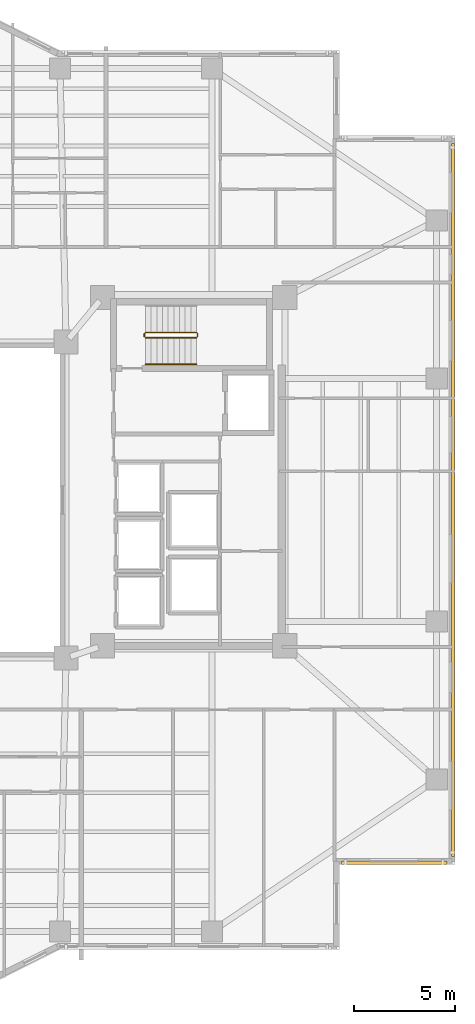
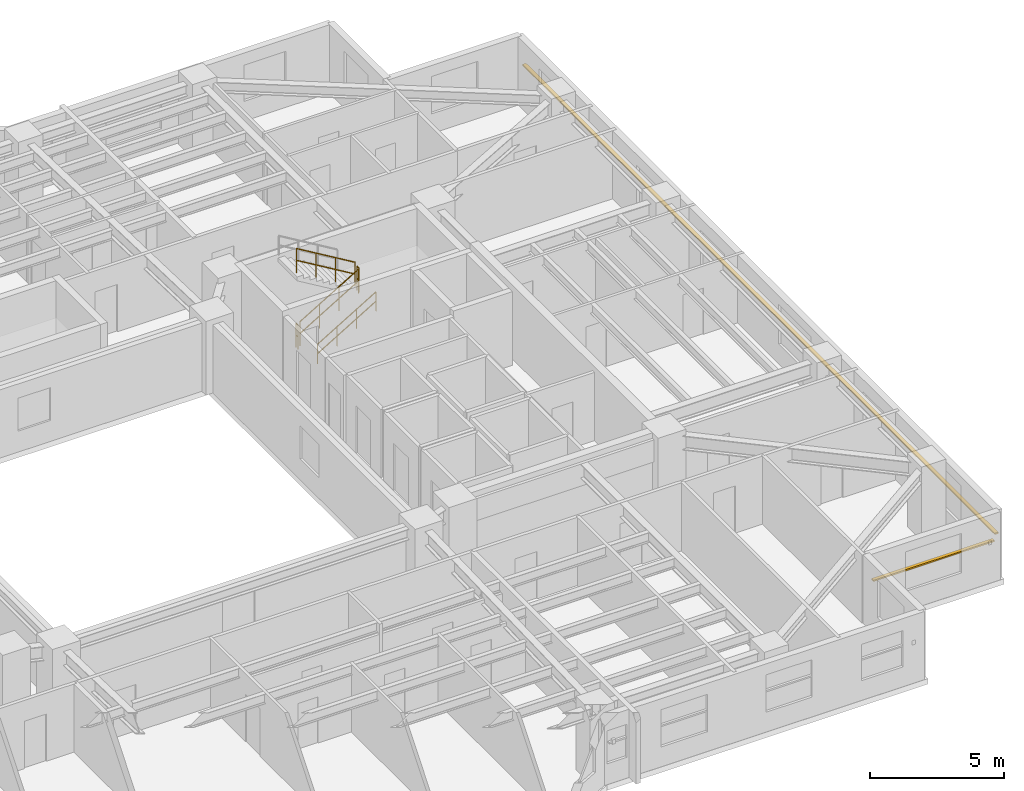
# One storey, part 16 of 18: 5 railings, 2 shading devices.
"""IFC4 building model written with IfcOpenShell, lengths in metres."""

from ifc_helpers import new_model, si_unit, direction, frame, origin, origin_2d, place, context, subcontext, project, spatial, rectangle, circle, extrude, material, material_profile, profile_set, type_object, element, save


model = new_model("IFC4")

# Units and contexts
model_context = context("Model", 3, precision=1e-05, world=origin(), true_north=direction((0.0, 1.0)))
body_context = subcontext(model_context, "Body", "Model", "MODEL_VIEW")
ifc_project = project(units=[si_unit("LENGTHUNIT", "METRE"), si_unit("AREAUNIT", "SQUARE_METRE"), si_unit("VOLUMEUNIT", "CUBIC_METRE"), si_unit("PLANEANGLEUNIT", "RADIAN"), si_unit("MASSUNIT", "GRAM", prefix="KILO")], contexts=[model_context])

# Site, building, storey
site_placement = place(None, origin())
site = spatial("IfcSite", under=ifc_project, at=site_placement, CompositionType="ELEMENT")
building_placement = place(site_placement, origin())
building = spatial("IfcBuilding", under=site, at=building_placement, Name="Tarnavaz Court Tower", CompositionType="ELEMENT")
storey_placement = place(building_placement, frame((0.0, 0.0, 91.699951171875)))
storey = spatial("IfcBuildingStorey", under=building, at=storey_placement, Name="L24", CompositionType="ELEMENT", Elevation=91.699951171875)

# Railings
ifc_material_1 = material(Name="Brushed Stainless Steel", Category="steel")
railing_type_1 = type_object("IfcRailingType", Name="RL-HANDRAIL-900", PredefinedType="HANDRAIL", material=ifc_material_1)
railing_1_placement = place(storey_placement, frame((11.719970703125, 6.699951171875, 0.16748046875)))
element("IfcRailing", 1, at=railing_1_placement, inside=storey, type_object=railing_type_1, Name="L24 ST-E1 stair handrail 1", PredefinedType="HANDRAIL", context=body_context, shape_type="SweptSolid", body=[
    extrude(circle(Radius=0.02392578125, at=origin_2d()), frame((0.0, 0.0, 0.8759765625), z_axis=(0.858159760407, 0.0, 0.513382728203), x_axis=(0.0, 1.0, 0.0)), (0.0, 0.0, 1.0), 2.9365234375),
    extrude(circle(Radius=0.02392578125, at=origin_2d()), frame((0.0, 0.0, 0.449951171875), z_axis=(0.858159760407, 0.0, 0.513382728203), x_axis=(0.0, 1.0, 0.0)), (0.0, 0.0, 1.0), 2.9365234375),
    extrude(circle(Radius=0.02099609375, at=origin_2d()), origin(), (0.0, 0.0, 1.0), 0.851806640625),
    extrude(circle(Radius=0.02099609375, at=origin_2d()), frame((0.840087890625, 0.0, 0.50244140625)), (0.0, 0.0, 1.0), 0.851806640625),
    extrude(circle(Radius=0.02099609375, at=origin_2d()), frame((1.679931640625, 0.0, 1.005126953125)), (0.0, 0.0, 1.0), 0.851806640625),
    extrude(circle(Radius=0.02099609375, at=origin_2d()), frame((2.52001953125, 0.0, 1.507568359375)), (0.0, 0.0, 1.0), 0.851806640625),
])
ifc_material_2 = material(Name="Galvanized Painted Tubular Steel", Category="steel")
railing_type_2 = type_object("IfcRailingType", Name="RL-STGUARD-1120", PredefinedType="GUARDRAIL", material=ifc_material_2)
railing_2_placement = place(storey_placement, frame((11.719970703125, 8.02001953125, 0.16748046875)))
element("IfcRailing", 2, at=railing_2_placement, inside=storey, type_object=railing_type_2, Name="L24 ST-E1 stair guard 1", PredefinedType="GUARDRAIL", context=body_context, shape_type="SweptSolid", body=[
    extrude(circle(Radius=0.02392578125, at=origin_2d()), frame((0.0, 0.0, 1.09619140625), z_axis=(0.858159760407, 0.0, 0.513382728203), x_axis=(0.0, 1.0, 0.0)), (0.0, 0.0, 1.0), 2.9365234375),
    extrude(circle(Radius=0.02392578125, at=origin_2d()), frame((0.0, 0.0, 0.56005859375), z_axis=(0.858159760407, 0.0, 0.513382728203), x_axis=(0.0, 1.0, 0.0)), (0.0, 0.0, 1.0), 2.9365234375),
    extrude(circle(Radius=0.02099609375, at=origin_2d()), origin(), (0.0, 0.0, 1.0), 1.072021484375),
    extrude(circle(Radius=0.02099609375, at=origin_2d()), frame((0.840087890625, 0.0, 0.50244140625)), (0.0, 0.0, 1.0), 1.072021484375),
    extrude(circle(Radius=0.02099609375, at=origin_2d()), frame((1.679931640625, 0.0, 1.005126953125)), (0.0, 0.0, 1.0), 1.072021484375),
    extrude(circle(Radius=0.02099609375, at=origin_2d()), frame((2.52001953125, 0.0, 1.507568359375)), (0.0, 0.0, 1.0), 1.072021484375),
])
railing_3_placement = place(storey_placement, frame((14.2900390625, 8.070068359375, 1.675048828125)))
element("IfcRailing", 3, at=railing_3_placement, inside=storey, type_object=railing_type_2, Name="L24 ST-E1 stair guard 2", PredefinedType="GUARDRAIL", context=body_context, shape_type="SweptSolid", body=[
    extrude(circle(Radius=0.02392578125, at=origin_2d()), frame((0.0, 0.0, 1.09619140625), z_axis=(0.0, 1.0, 0.0), x_axis=(-1.0, 0.0, 0.0)), (0.0, 0.0, 1.0), 0.14990234375),
    extrude(circle(Radius=0.02392578125, at=origin_2d()), frame((0.0, 0.0, 0.56005859375), z_axis=(0.0, 1.0, 0.0), x_axis=(-1.0, 0.0, 0.0)), (0.0, 0.0, 1.0), 0.14990234375),
    extrude(circle(Radius=0.02099609375, at=origin_2d()), origin(), (0.0, 0.0, 1.0), 1.072021484375),
    extrude(circle(Radius=0.02099609375, at=origin_2d()), frame((0.0, 0.14990234375, 0.0)), (0.0, 0.0, 1.0), 1.072021484375),
])
railing_4_placement = place(storey_placement, frame((14.239990234375, 8.27001953125, 1.842529296875)))
element("IfcRailing", 4, at=railing_4_placement, inside=storey, type_object=railing_type_2, Name="L24 ST-E1 stair guard 3", PredefinedType="GUARDRAIL", context=body_context, shape_type="SweptSolid", body=[
    extrude(circle(Radius=0.02392578125, at=origin_2d()), frame((0.0, 0.0, 1.09619140625), z_axis=(-0.858159760407, 0.0, 0.513382728203), x_axis=(0.0, -1.0, 0.0)), (0.0, 0.0, 1.0), 2.9365234375),
    extrude(circle(Radius=0.02392578125, at=origin_2d()), frame((0.0, 0.0, 0.56005859375), z_axis=(-0.858159760407, 0.0, 0.513382728203), x_axis=(0.0, -1.0, 0.0)), (0.0, 0.0, 1.0), 2.9365234375),
    extrude(circle(Radius=0.02099609375, at=origin_2d()), origin(), (0.0, 0.0, 1.0), 1.072021484375),
    extrude(circle(Radius=0.02099609375, at=origin_2d()), frame((-0.840087890625, 0.0, 0.50244140625)), (0.0, 0.0, 1.0), 1.072021484375),
    extrude(circle(Radius=0.02099609375, at=origin_2d()), frame((-1.679931640625, 0.0, 1.005126953125)), (0.0, 0.0, 1.0), 1.072021484375),
    extrude(circle(Radius=0.02099609375, at=origin_2d()), frame((-2.52001953125, 0.0, 1.507568359375)), (0.0, 0.0, 1.0), 1.072021484375),
])
railing_5_placement = place(storey_placement, frame((11.669921875, 8.070068359375, 0.0)))
element("IfcRailing", 5, at=railing_5_placement, inside=storey, type_object=railing_type_2, Name="L24 ST-E1 stair guard 4", PredefinedType="GUARDRAIL", context=body_context, shape_type="SweptSolid", body=[
    extrude(circle(Radius=0.02392578125, at=origin_2d()), frame((0.0, 0.0, 1.09619140625), z_axis=(0.0, 1.0, 0.0), x_axis=(-1.0, 0.0, 0.0)), (0.0, 0.0, 1.0), 0.14990234375),
    extrude(circle(Radius=0.02392578125, at=origin_2d()), frame((0.0, 0.0, 0.56005859375), z_axis=(0.0, 1.0, 0.0), x_axis=(-1.0, 0.0, 0.0)), (0.0, 0.0, 1.0), 0.14990234375),
    extrude(circle(Radius=0.02099609375, at=origin_2d()), origin(), (0.0, 0.0, 1.0), 1.072021484375),
    extrude(circle(Radius=0.02099609375, at=origin_2d()), frame((0.0, 0.14990234375, 0.0)), (0.0, 0.0, 1.0), 1.072021484375),
])

# Shading devices
ifc_material_3 = material(Name="Kiln-Fired Khorasan Terracotta Ceramic", Category="masonry")
ifc_material_profile = material_profile(ifc_material_3, rectangle(XDim=0.14990234375, YDim=0.06494140625, at=origin_2d()), Name="TC BAGUETTE 150X65")
ifc_profile_set = profile_set([ifc_material_profile], Name="Kiln-Fired Khorasan Terracotta Ceramic")
shading_device_type = type_object("IfcShadingDeviceType", Name="SD-BAG-150", PredefinedType="USERDEFINED", material=ifc_profile_set)
shading_device_1_placement = place(storey_placement, frame((26.909912109375, 17.60009765625, 1.85009765625), z_axis=(0.0, -1.0, 0.0), x_axis=(1.0, 0.0, 0.0)))
element("IfcShadingDevice", 6, at=shading_device_1_placement, inside=storey, type_object=shading_device_type, Name="L24 Terracotta Baguette Screen FBG12", ObjectType="BAGUETTE", PredefinedType="USERDEFINED", context=body_context, shape_type="SweptSolid", body=[
    extrude(rectangle(XDim=0.14990234375, YDim=0.06494140625, at=origin_2d()), origin(), (0.0, 0.0, 1.0), 35.2001953125),
])
shading_device_2_placement = place(storey_placement, frame((26.60009765625, -17.909912109375, 1.85009765625), z_axis=(-1.0, 0.0, 0.0), x_axis=(0.0, -1.0, 0.0)))
element("IfcShadingDevice", 7, at=shading_device_2_placement, inside=storey, type_object=shading_device_type, Name="L24 Terracotta Baguette Screen FBG13", ObjectType="BAGUETTE", PredefinedType="USERDEFINED", context=body_context, shape_type="SweptSolid", body=[
    extrude(rectangle(XDim=0.14990234375, YDim=0.06494140625, at=origin_2d()), origin(), (0.0, 0.0, 1.0), 5.2001953125),
])

save(model, "model.ifc")
